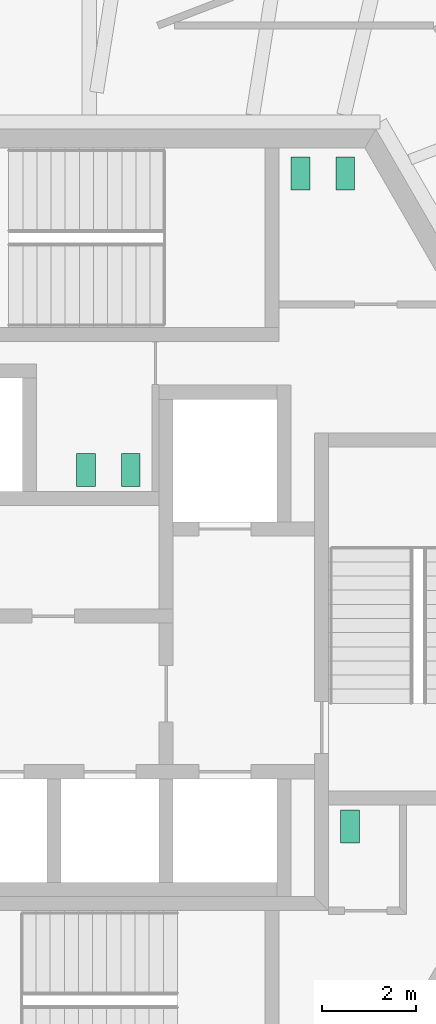
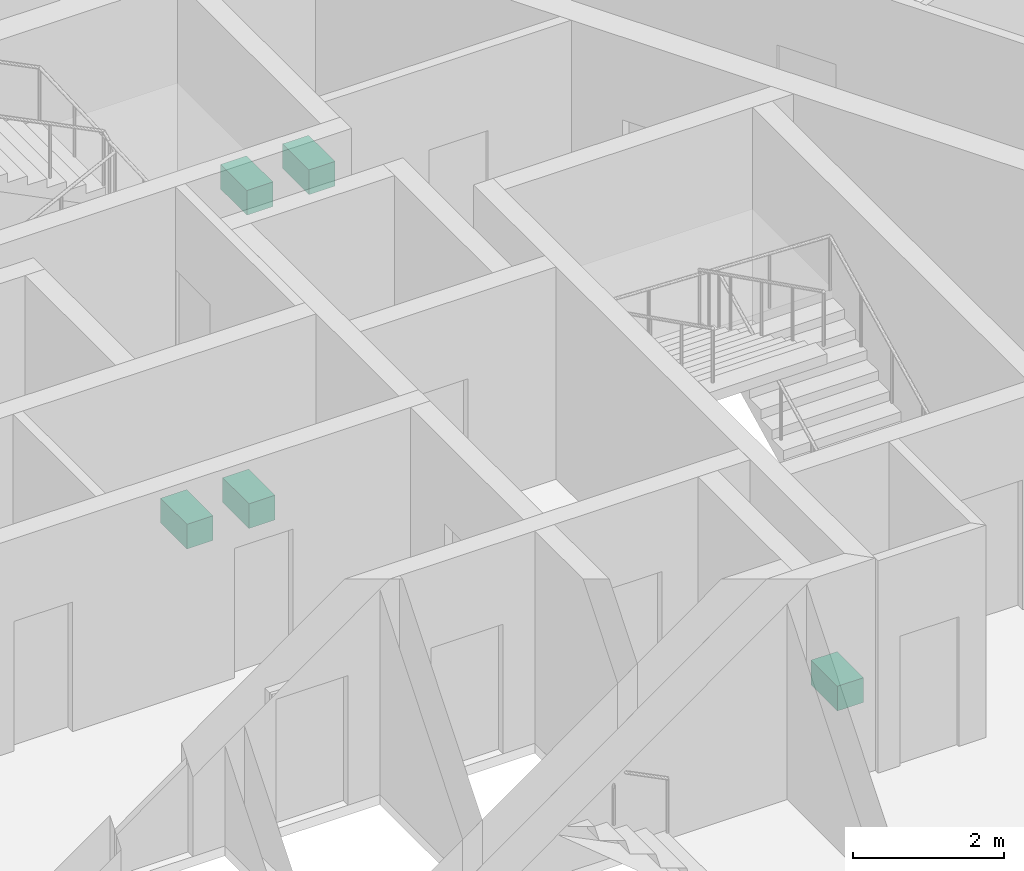
# One storey, part 17 of 19: 5 sanitary terminals.
"""IFC4 building model written with IfcOpenShell, lengths in metres."""

import ifcopenshell
import ifcopenshell.guid

model = None  # the IFC model being written
_history = None  # IfcOwnerHistory: only IFC2X3 demands one
_inside = {}  # id of a spatial element -> (the spatial element, [elements in it])
_under = {}  # id of a project, library or spatial element -> (it, [spatial elements below it])
_declared = {}  # id of a project -> (the project, [libraries it declares])
_typed = {}  # id of a type object -> (the type object, [elements of that type])
_made_of = {}  # id of a material, layer set ... -> (it, [elements and type objects made of it])


def new_model(schema):
    """Start an empty IFC model of exactly this schema.

    Asked for "IFC4X3", IfcOpenShell would pick the latest addendum, in which some entities
    have other attributes; the version numbers below select the first issue.
    IFC2X3 requires an IfcOwnerHistory on every rooted entity: one is made here for all.
    """
    global model, _history
    if schema == "IFC4X3":
        model = ifcopenshell.file(schema_version=(4, 3, 0, 0))
    else:
        model = ifcopenshell.file(schema=schema)
    _inside.clear()
    _under.clear()
    _declared.clear()
    _typed.clear()
    _made_of.clear()
    _history = None
    if model.schema == "IFC2X3":
        org = make("IfcOrganization", Name="unknown")
        user = make(
            "IfcPersonAndOrganization",
            ThePerson=make("IfcPerson", FamilyName="unknown"),
            TheOrganization=org,
        )
        app = make(
            "IfcApplication",
            ApplicationDeveloper=org,
            Version="unknown",
            ApplicationFullName="unknown",
            ApplicationIdentifier="unknown",
        )
        _history = make(
            "IfcOwnerHistory",
            OwningUser=user,
            OwningApplication=app,
            ChangeAction="ADDED",
            CreationDate=0,
        )
    return model


def make(cls, **values):
    """One entity of the class cls with the attributes given. An attribute that is None is left unset."""
    return model.create_entity(
        cls, **{name: value for name, value in values.items() if value is not None}
    )


def rooted(cls, **values):
    """An entity with a GlobalId (a new one), such as an element, a storey or a relation."""
    return make(cls, GlobalId=ifcopenshell.guid.new(), OwnerHistory=_history, **values)


def si_unit(unit_type, name, prefix=None):
    """IfcSIUnit, for example si_unit("LENGTHUNIT", "METRE", prefix="MILLI")."""
    return make("IfcSIUnit", UnitType=unit_type, Prefix=prefix, Name=name)


def assignment(units):
    """IfcUnitAssignment: the units of a project."""
    return None if units is None else make("IfcUnitAssignment", Units=units)


def point(xyz):
    """IfcCartesianPoint."""
    return None if xyz is None else make("IfcCartesianPoint", Coordinates=xyz)


def direction(xyz):
    """IfcDirection."""
    return None if xyz is None else make("IfcDirection", DirectionRatios=xyz)


def frame(location, z_axis=None, x_axis=None):
    """IfcAxis2Placement3D, a coordinate frame: its origin and axes. An axis left out is left unset."""
    return make(
        "IfcAxis2Placement3D",
        Location=point(location),
        Axis=direction(z_axis),
        RefDirection=direction(x_axis),
    )


def frame_2d(location, x_axis=None):
    """IfcAxis2Placement2D, a coordinate frame in the plane: its origin and x axis."""
    return make(
        "IfcAxis2Placement2D", Location=point(location), RefDirection=direction(x_axis)
    )


def origin():
    """The frame at (0, 0, 0) with its axes left unset."""
    return frame((0.0, 0.0, 0.0))


def origin_2d():
    """The frame at (0, 0) in the plane with its x axis left unset."""
    return frame_2d((0.0, 0.0))


def place(relative_to, where):
    """IfcLocalPlacement: puts the frame where relative to a parent placement (None: the world)."""
    return make(
        "IfcLocalPlacement", PlacementRelTo=relative_to, RelativePlacement=where
    )


def context(
    kind, dimensions, precision=None, world=None, true_north=None, identifier=None
):
    """IfcGeometricRepresentationContext, for example the 3D "Model" context."""
    return make(
        "IfcGeometricRepresentationContext",
        ContextIdentifier=identifier,
        ContextType=kind,
        CoordinateSpaceDimension=dimensions,
        Precision=precision,
        WorldCoordinateSystem=world,
        TrueNorth=true_north,
    )


def subcontext(parent, identifier, kind, view, scale=None):
    """IfcGeometricRepresentationSubContext, for example "Body" below "Model"."""
    return make(
        "IfcGeometricRepresentationSubContext",
        ContextIdentifier=identifier,
        ContextType=kind,
        ParentContext=parent,
        TargetScale=scale,
        TargetView=view,
    )


def project(units=None, contexts=None):
    """IfcProject with its units and contexts."""
    return rooted(
        "IfcProject",
        Name="project",
        RepresentationContexts=contexts,
        UnitsInContext=assignment(units),
    )


def spatial(cls, under=None, at=None, **own):
    """A site, building, storey or space (cls), placed at a placement, below another one or the project."""
    s = rooted(cls, ObjectPlacement=at, **own)
    if under is not None:
        _under.setdefault(under.id(), (under, []))[1].append(s)
    return s


def profile(cls, at=None, kind="AREA", **sizes):
    """A parametric profile (cls). Its sizes go by their IFC names, for example OverallWidth=200.0."""
    return make(cls, ProfileType=kind, Position=at, **sizes)


def rectangle(**sizes):
    """IfcRectangleProfileDef."""
    return profile("IfcRectangleProfileDef", **sizes)


def extrude(swept, where, along, depth):
    """IfcExtrudedAreaSolid: the profile swept, set in the frame where, extruded along a direction by depth."""
    return make(
        "IfcExtrudedAreaSolid",
        SweptArea=swept,
        Position=where,
        ExtrudedDirection=direction(along),
        Depth=depth,
    )


def shape(context_of_items, identifier, shape_type, items):
    """IfcShapeRepresentation: the items that make up one representation, for example the "Body"."""
    return make(
        "IfcShapeRepresentation",
        ContextOfItems=context_of_items,
        RepresentationIdentifier=identifier,
        RepresentationType=shape_type,
        Items=items,
    )


def source(mapping_origin, context_of_items, identifier, shape_type, items):
    """IfcRepresentationMap: a shape defined once, which mapped items show again and again."""
    return make(
        "IfcRepresentationMap",
        MappingOrigin=mapping_origin,
        MappedRepresentation=shape(context_of_items, identifier, shape_type, items),
    )


def transform(
    local_origin,
    x_axis=None,
    y_axis=None,
    z_axis=None,
    scale=None,
    scale2=None,
    scale3=None,
    uniform=True,
):
    """IfcCartesianTransformationOperator3D, or its non-uniform kind. x_axis, y_axis, z_axis: its Axis1, 2, 3."""
    if uniform:
        return make(
            "IfcCartesianTransformationOperator3D",
            Axis1=direction(x_axis),
            Axis2=direction(y_axis),
            LocalOrigin=point(local_origin),
            Scale=scale,
            Axis3=direction(z_axis),
        )
    return make(
        "IfcCartesianTransformationOperator3DnonUniform",
        Axis1=direction(x_axis),
        Axis2=direction(y_axis),
        LocalOrigin=point(local_origin),
        Scale=scale,
        Axis3=direction(z_axis),
        Scale2=scale2,
        Scale3=scale3,
    )


def mapped(mapping_source, mapping_target):
    """IfcMappedItem: shows the shape of a source again, moved by a transform."""
    return make(
        "IfcMappedItem", MappingSource=mapping_source, MappingTarget=mapping_target
    )


def material(Name=None, Category=None):
    """IfcMaterial."""
    return make("IfcMaterial", Name=Name, Category=Category)


def made_of(thing, what):
    """Note that an element or type object is made of a material, layer set ...; save() writes the relation."""
    if what is not None:
        _made_of.setdefault(what.id(), (what, []))[1].append(thing)
    return thing


def element(
    cls,
    number,
    at=None,
    inside=None,
    cuts=None,
    type_object=None,
    material=None,
    context=None,
    identifier="Body",
    shape_type=None,
    held_by="IfcProductDefinitionShape",
    body=None,
    shapes=None,
    **own,
):
    """One element of the class cls, such as IfcWall. Its Tag is "e" and its number.

    at: its placement. inside: the storey or other place that contains it. cuts: it is an
    opening in that element (IfcRelVoidsElement). A single representation is given by context,
    identifier, shape_type and body (its items); several are given by shapes. held_by: the class
    of the entity that holds the representations. save() writes the other relations.
    """
    e = rooted(cls, Tag="e%d" % number, ObjectPlacement=at, **own)
    if body is not None:
        shapes = [shape(context, identifier, shape_type, body)]
    if shapes is not None:
        e.Representation = make(held_by, Representations=shapes)
    if inside is not None:
        _inside.setdefault(inside.id(), (inside, []))[1].append(e)
    if cuts is not None:
        rooted(
            "IfcRelVoidsElement", RelatingBuildingElement=cuts, RelatedOpeningElement=e
        )
    if type_object is not None:
        _typed.setdefault(type_object.id(), (type_object, []))[1].append(e)
    return made_of(e, material)


def aggregate(whole, parts):
    """IfcRelAggregates: a whole, such as a stair, and the parts it consists of."""
    return rooted("IfcRelAggregates", RelatingObject=whole, RelatedObjects=parts)


def save(model, path):
    """Write the relations noted so far, then the file.

    IfcRelAggregates (storeys below a building ...), IfcRelContainedInSpatialStructure (elements
    in a storey), IfcRelDefinesByType, IfcRelAssociatesMaterial and IfcRelDeclares: one each for
    every whole, place, type object, material and project.
    """
    for whole, parts in _under.values():
        aggregate(whole, parts)
    for where, things in _inside.values():
        rooted(
            "IfcRelContainedInSpatialStructure",
            RelatedElements=things,
            RelatingStructure=where,
        )
    for kind, things in _typed.values():
        rooted("IfcRelDefinesByType", RelatedObjects=things, RelatingType=kind)
    for what, things in _made_of.values():
        rooted("IfcRelAssociatesMaterial", RelatedObjects=things, RelatingMaterial=what)
    for by, libraries in _declared.values():
        rooted("IfcRelDeclares", RelatingContext=by, RelatedDefinitions=libraries)
    model.write(path)


model = new_model("IFC4")

# Units and contexts
model_context = context("Model", 3, precision=1e-05, world=origin(), true_north=direction((0.0, 1.0)))
body_context = subcontext(model_context, "Body", "Model", "MODEL_VIEW")
ifc_project = project(units=[si_unit("LENGTHUNIT", "METRE"), si_unit("AREAUNIT", "SQUARE_METRE"), si_unit("VOLUMEUNIT", "CUBIC_METRE"), si_unit("PLANEANGLEUNIT", "RADIAN"), si_unit("MASSUNIT", "GRAM", prefix="KILO")], contexts=[model_context])

# Site, building, storey
site_placement = place(None, origin())
site = spatial("IfcSite", under=ifc_project, at=site_placement, CompositionType="ELEMENT")
building_placement = place(site_placement, origin())
building = spatial("IfcBuilding", under=site, at=building_placement, Name="Triune Harvest Tower", CompositionType="ELEMENT")
storey_placement = place(building_placement, frame((0.0, 0.0, 164.10009765625)))
storey = spatial("IfcBuildingStorey", under=building, at=storey_placement, Name="L42", CompositionType="ELEMENT", Elevation=164.10009765625)

# Sanitary terminals
ifc_material = material(Name="Vitreous china")
shared_shape = source(origin(), body_context, "Body", "SweptSolid", [
    extrude(rectangle(XDim=0.39990234375, YDim=0.699951171875, at=origin_2d()), origin(), (0.0, 0.0, 1.0), 0.39990234375),
])
for number, where, z_axis, x_axis, name in (
    (1, (4.39990234375, 9.449951171875, 0.0), (0.0, 0.0, 1.0), (1.0, 0.0, 0.0), "Toilet pan L42.c01"),
    (2, (5.35009765625, 9.449951171875, 0.0), (0.0, 0.0, 1.0), (1.0, 0.0, 0.0), "Toilet pan L42.c02"),
    (3, (0.800048828125, 3.159912109375, 0.0), (0.0, 0.0, 1.0), (-1.0, 0.0, 0.0), "Toilet pan L42.c03"),
    (4, (-0.14990234375, 3.159912109375, 0.0), (0.0, 0.0, 1.0), (-1.0, 0.0, 0.0), "Toilet pan L42.c04"),
    (5, (5.449951171875, -4.39990234375, 0.0), (0.0, 0.0, 1.0), (1.0, 0.0, 0.0), "Toilet pan L42.c05"),
):
    element("IfcSanitaryTerminal", number, at=place(storey_placement, frame(where, z_axis=z_axis, x_axis=x_axis)), inside=storey, material=ifc_material, Name=name, PredefinedType="TOILETPAN", context=body_context, shape_type="MappedRepresentation", body=[
        mapped(shared_shape, transform((0.0, 0.0, 0.0), scale=1.0)),
    ])

save(model, "model.ifc")
